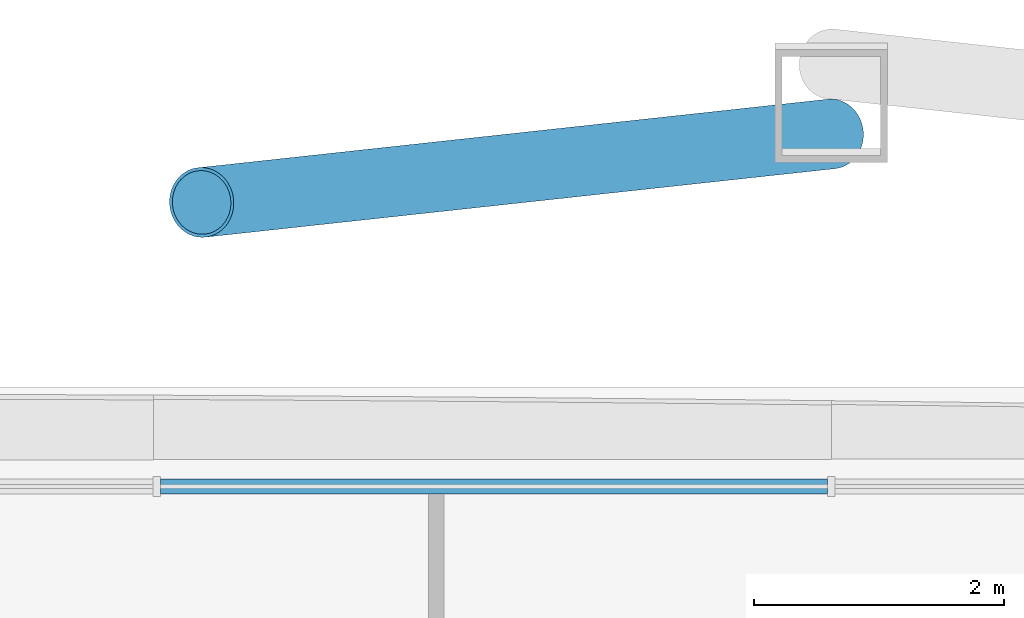
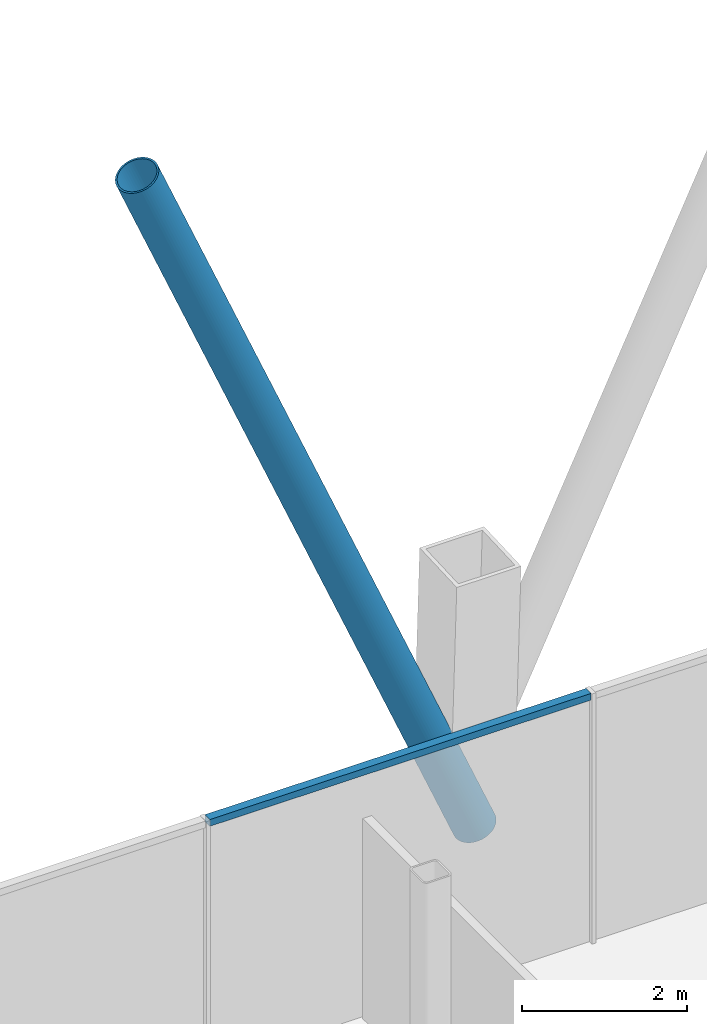
# One storey, part 9 of 23: 2 members, 1 element without a shape of its own.
"""IFC4 building model written with IfcOpenShell, lengths in metres."""

from ifc_helpers import new_model, si_unit, direction, frame, origin, origin_2d, place, context, subcontext, project, spatial, rectangle, hollow_circle, extrude, material, material_profile, profile_set, type_object, element, aggregate, save


model = new_model("IFC4")

# Units and contexts
model_context = context("Model", 3, precision=1e-05, world=origin(), true_north=direction((0.0, 1.0)))
body_context = subcontext(model_context, "Body", "Model", "MODEL_VIEW")
ifc_project = project(units=[si_unit("LENGTHUNIT", "METRE"), si_unit("AREAUNIT", "SQUARE_METRE"), si_unit("VOLUMEUNIT", "CUBIC_METRE"), si_unit("PLANEANGLEUNIT", "RADIAN"), si_unit("MASSUNIT", "GRAM", prefix="KILO")], contexts=[model_context])

# Site, building, storey
site_placement = place(None, origin())
site = spatial("IfcSite", under=ifc_project, at=site_placement, CompositionType="ELEMENT")
building_placement = place(site_placement, origin())
building = spatial("IfcBuilding", under=site, at=building_placement, Name="Tskaro Facet Tower", CompositionType="ELEMENT")
storey_placement = place(building_placement, frame((0.0, 0.0, 62.10009765625)))
storey = spatial("IfcBuildingStorey", under=building, at=storey_placement, Name="L14", CompositionType="ELEMENT", Elevation=62.10009765625)

# Member
ifc_material_1 = material(Name="Steel S355J2H", Category="steel")
ifc_material_profile_1 = material_profile(ifc_material_1, hollow_circle(Radius=0.279541015625, WallThickness=0.02490234375, at=origin_2d()), Name="CHS 559x25")
ifc_profile_set_1 = profile_set([ifc_material_profile_1], Name="Steel S355J2H")
member_type_1 = type_object("IfcMemberType", Name="CHS 559x25 brace", PredefinedType="BRACE", material=ifc_profile_set_1)
member_1_placement = place(storey_placement, frame((3.0, 28.37939453125, 0.0), z_axis=(-0.394939364792, -0.042971486355, 0.917701666937), x_axis=(0.108166887644, -0.994132749897, 0.0)))
element("IfcMember", 1, at=member_1_placement, inside=storey, type_object=member_type_1, Name="CHS 559x25 XB08A/2", PredefinedType="BRACE", context=body_context, shape_type="SweptSolid", body=[
    extrude(hollow_circle(Radius=0.279541015625, WallThickness=0.02490234375, at=origin_2d()), origin(), (0.0, 0.0, 1.0), 12.749267578125),
])

# Curtain wall, member
ifc_material_2 = material(Name="Bronze anodised aluminium 6063-T6", Category="aluminium")
curtain_wall_type = type_object("IfcCurtainWallType", Name="Bronze office curtain wall (FW1)", PredefinedType="NOTDEFINED", material=ifc_material_2)
curtain_wall_placement = place(storey_placement, origin())
curtain_wall = element("IfcCurtainWall", 2, at=curtain_wall_placement, inside=storey, type_object=curtain_wall_type, Name="FW1 north facet L14", PredefinedType="NOTDEFINED")
ifc_material_profile_2 = material_profile(ifc_material_2, rectangle(XDim=0.1201171875, YDim=0.10009765625, at=origin_2d()), Name="Transom 120x100")
ifc_profile_set_2 = profile_set([ifc_material_profile_2], Name="Bronze anodised aluminium 6063-T6")
member_type_2 = type_object("IfcMemberType", Name="FW1 bronze transom 120x100", PredefinedType="USERDEFINED", material=ifc_profile_set_2)
member_2_placement = place(storey_placement, frame((2.969970703125, 25.55908203125, 3.64990234375), z_axis=(-1.0, 0.0, 0.0), x_axis=(0.0, -1.0, 0.0)))
member_2 = element("IfcMember", 3, at=member_2_placement, type_object=member_type_2, Name="FW1 north transom 5.1", ObjectType="TRANSOM", PredefinedType="USERDEFINED", context=body_context, shape_type="SweptSolid", body=[
    extrude(rectangle(XDim=0.1201171875, YDim=0.10009765625, at=origin_2d()), origin(), (0.0, 0.0, 1.0), 5.33349609375),
])
aggregate(curtain_wall, [member_2])

save(model, "model.ifc")
